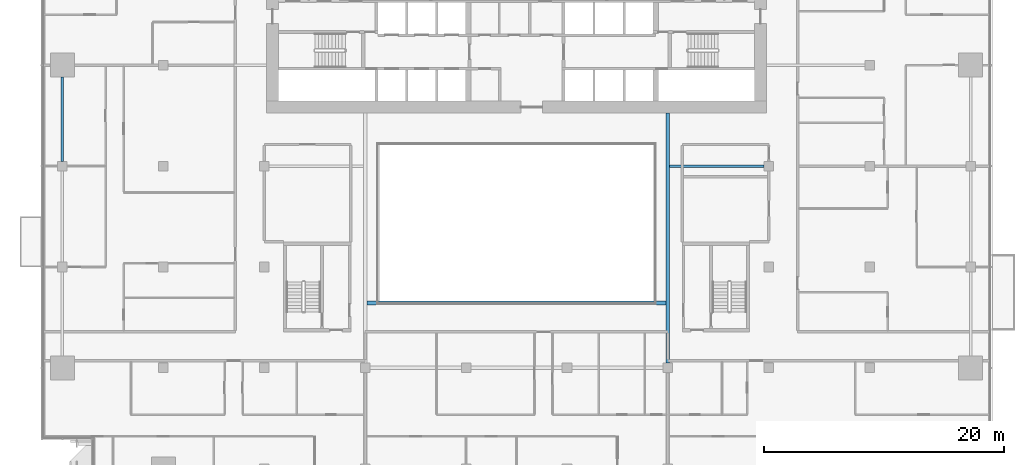
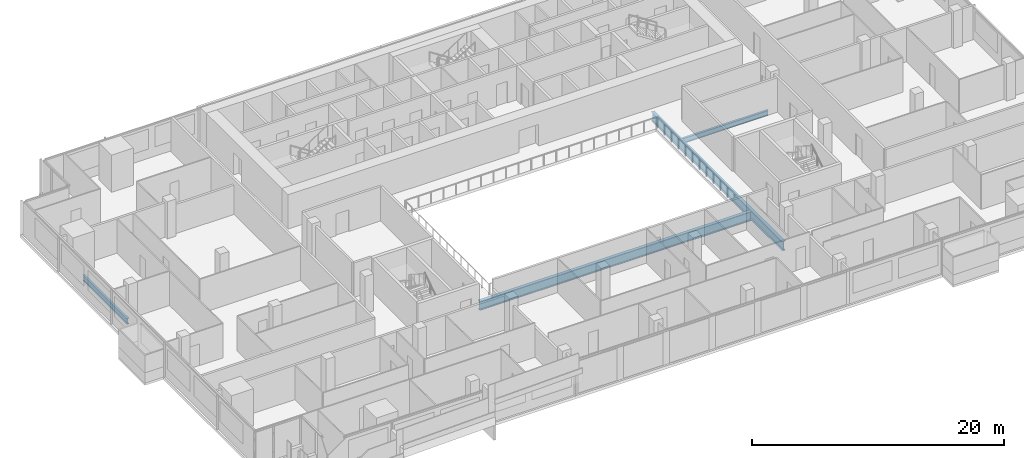
# One storey, part 7 of 29: 4 beams.
"""IFC4 building model written with IfcOpenShell, lengths in metres."""

from ifc_helpers import new_model, si_unit, direction, frame, origin, origin_2d, place, context, subcontext, project, spatial, i_section, extrude, material, material_profile, profile_set, type_object, element, save


model = new_model("IFC4")

# Units and contexts
model_context = context("Model", 3, precision=1e-05, world=origin(), true_north=direction((0.0, 1.0)))
body_context = subcontext(model_context, "Body", "Model", "MODEL_VIEW")
ifc_project = project(units=[si_unit("LENGTHUNIT", "METRE"), si_unit("AREAUNIT", "SQUARE_METRE"), si_unit("VOLUMEUNIT", "CUBIC_METRE"), si_unit("PLANEANGLEUNIT", "RADIAN"), si_unit("MASSUNIT", "GRAM", prefix="KILO")], contexts=[model_context])

# Site, building, storey
site_placement = place(None, origin())
site = spatial("IfcSite", under=ifc_project, at=site_placement, CompositionType="ELEMENT")
building_placement = place(site_placement, origin())
building = spatial("IfcBuilding", under=site, at=building_placement, Name="Saffron Gate Tower", CompositionType="ELEMENT")
storey_placement = place(building_placement, frame((0.0, 0.0, 116.85009765625)))
storey = spatial("IfcBuildingStorey", under=building, at=storey_placement, Name="L27", CompositionType="ELEMENT", Elevation=116.85009765625)

# Beams
ifc_material = material(Name="Structural steel S355", Category="steel")
ifc_material_profile_1 = material_profile(ifc_material, i_section(OverallWidth=0.199951171875, OverallDepth=0.5, WebThickness=0.01025390625, FlangeThickness=0.01611328125, FilletRadius=0.02099609375, at=origin_2d()))
ifc_profile_set_1 = profile_set([ifc_material_profile_1], Name="Structural steel S355")
beam_type_1 = type_object("IfcBeamType", Name="B10 IPE 500", PredefinedType="BEAM", material=ifc_profile_set_1)
beam_1_placement = place(storey_placement, frame((108.199951171875, 57.0, -0.530029296875), z_axis=(-1.0, 0.0, 0.0), x_axis=(0.0, -1.0, 0.0)))
element("IfcBeam", 1, at=beam_1_placement, inside=storey, type_object=beam_type_1, Name="B10 CORE TIE BEAM", PredefinedType="BEAM", context=body_context, shape_type="SweptSolid", body=[
    extrude(i_section(OverallWidth=0.199951171875, OverallDepth=0.5, WebThickness=0.01025390625, FlangeThickness=0.01611328125, FilletRadius=0.02099609375, at=origin_2d()), origin(), (0.0, 0.0, 1.0), 7.849853515625),
])
ifc_material_profile_2 = material_profile(ifc_material, i_section(OverallWidth=0.2099609375, OverallDepth=0.550048828125, WebThickness=0.010986328125, FlangeThickness=0.01708984375, FilletRadius=0.02392578125, at=origin_2d()))
ifc_profile_set_2 = profile_set([ifc_material_profile_2], Name="Structural steel S355")
beam_type_2 = type_object("IfcBeamType", Name="B13 IPE 550", PredefinedType="SPANDREL", material=ifc_profile_set_2)
beam_2_placement = place(storey_placement, frame((49.800048828125, 57.39990234375, -0.55517578125), z_axis=(0.0, 1.0, 0.0), x_axis=(-1.0, 0.0, 0.0)))
element("IfcBeam", 2, at=beam_2_placement, inside=storey, type_object=beam_type_2, Name="B13 SPANDREL BEAM", PredefinedType="SPANDREL", context=body_context, shape_type="SweptSolid", body=[
    extrude(i_section(OverallWidth=0.2099609375, OverallDepth=0.550048828125, WebThickness=0.010986328125, FlangeThickness=0.01708984375, FilletRadius=0.02392578125, at=origin_2d()), origin(), (0.0, 0.0, 1.0), 7.0),
])
ifc_material_profile_3 = material_profile(ifc_material, i_section(OverallWidth=0.300048828125, OverallDepth=0.889892578125, WebThickness=0.01611328125, FlangeThickness=0.030029296875, FilletRadius=0.030029296875, at=origin_2d()))
ifc_profile_set_3 = profile_set([ifc_material_profile_3], Name="Structural steel S355")
beam_type_3 = type_object("IfcBeamType", Name="B19 HEA 900", PredefinedType="BEAM", material=ifc_profile_set_3)
beam_3_placement = place(storey_placement, frame((100.199951171875, 40.60009765625, -0.72509765625), z_axis=(0.0, 1.0, 0.0), x_axis=(-1.0, 0.0, 0.0)))
element("IfcBeam", 3, at=beam_3_placement, inside=storey, type_object=beam_type_3, Name="B19 ATRIUM GIRDER", PredefinedType="BEAM", context=body_context, shape_type="SweptSolid", body=[
    extrude(i_section(OverallWidth=0.300048828125, OverallDepth=0.889892578125, WebThickness=0.01611328125, FlangeThickness=0.030029296875, FilletRadius=0.030029296875, at=origin_2d()), origin(), (0.0, 0.0, 1.0), 20.7998046875),
])
beam_4_placement = place(storey_placement, frame((75.14990234375, 45.60009765625, -0.72509765625), z_axis=(1.0, 0.0, 0.0), x_axis=(0.0, 1.0, 0.0)))
element("IfcBeam", 4, at=beam_4_placement, inside=storey, type_object=beam_type_3, Name="B19 ATRIUM GIRDER", PredefinedType="BEAM", context=body_context, shape_type="SweptSolid", body=[
    extrude(i_section(OverallWidth=0.300048828125, OverallDepth=0.889892578125, WebThickness=0.01611328125, FlangeThickness=0.030029296875, FilletRadius=0.030029296875, at=origin_2d()), origin(), (0.0, 0.0, 1.0), 24.900146484375),
])

save(model, "model.ifc")
